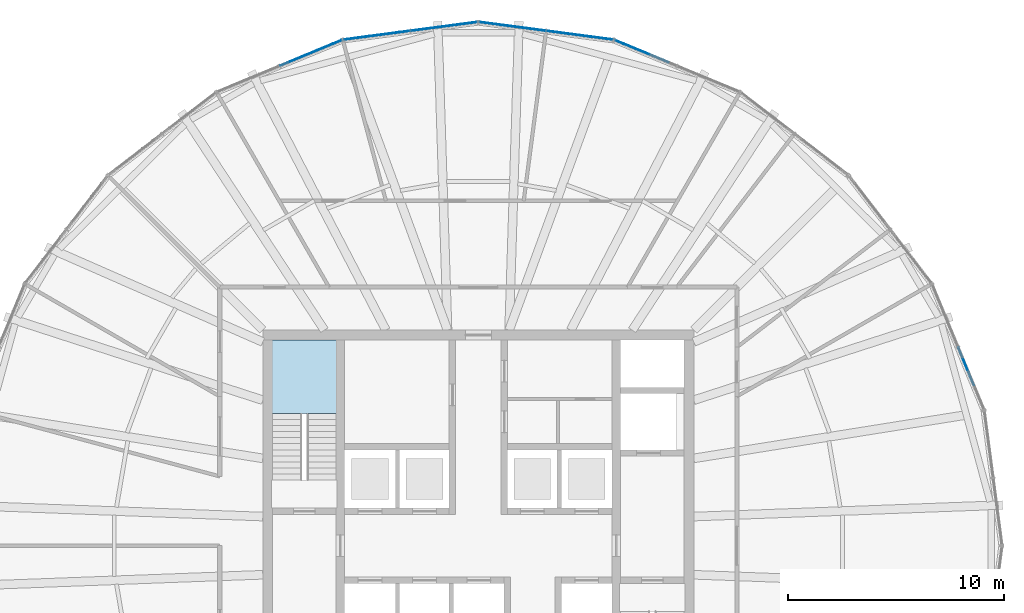
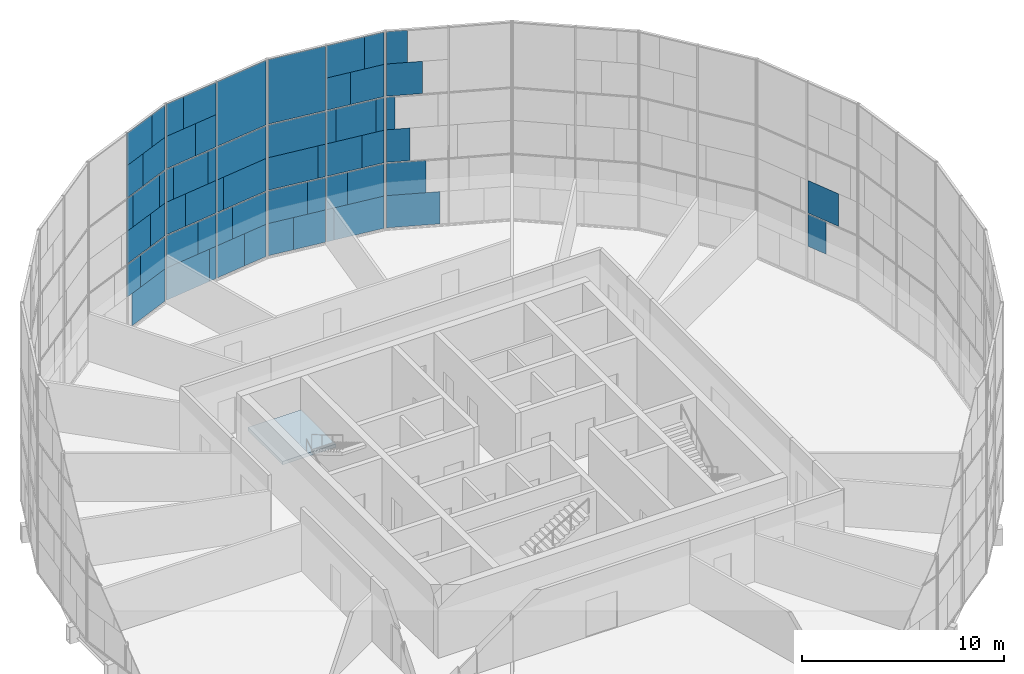
# One storey, part 16 of 22: 62 plates, 1 slab, 6 elements without a shape of their own.
"""IFC4 building model written with IfcOpenShell, lengths in metres."""

from ifc_helpers import new_model, si_unit, direction, frame, origin, origin_2d, place, context, subcontext, project, spatial, polyline, rectangle, outline, extrude, material, layer, layer_set, type_object, element, aggregate, save


model = new_model("IFC4")

# Units and contexts
model_context = context("Model", 3, precision=1e-05, world=origin(), true_north=direction((0.0, 1.0)))
body_context = subcontext(model_context, "Body", "Model", "MODEL_VIEW")
ifc_project = project(units=[si_unit("LENGTHUNIT", "METRE"), si_unit("AREAUNIT", "SQUARE_METRE"), si_unit("VOLUMEUNIT", "CUBIC_METRE"), si_unit("PLANEANGLEUNIT", "RADIAN"), si_unit("MASSUNIT", "GRAM", prefix="KILO")], contexts=[model_context])

# Site, building, storey
site_placement = place(None, origin())
site = spatial("IfcSite", under=ifc_project, at=site_placement, CompositionType="ELEMENT")
building_placement = place(site_placement, origin())
building = spatial("IfcBuilding", under=site, at=building_placement, Name="Golbaran Civic Tower", CompositionType="ELEMENT")
storey_placement = place(building_placement, frame((0.0, 0.0, 155.0)))
storey = spatial("IfcBuildingStorey", under=building, at=storey_placement, Name="L37", CompositionType="ELEMENT", Elevation=155.0)

# Curtain wall, plates
ifc_material_1 = material(Name="Aluminium and glass", Category="aluminium")
curtain_wall_type = type_object("IfcCurtainWallType", Name="INNER SKIN CURTAIN WALL", PredefinedType="NOTDEFINED", material=ifc_material_1)
curtain_wall_1_placement = place(storey_placement, origin())
curtain_wall_1 = element("IfcCurtainWall", 1, at=curtain_wall_1_placement, inside=storey, type_object=curtain_wall_type, Name="Inner skin L37 facet 5 CW1", ObjectType="INNER SKIN", PredefinedType="USERDEFINED")
ifc_material_2 = material(Name="Clear insulating glass", Category="glass")
ifc_layer_1 = layer(ifc_material_2, 0.031982421875, Name="Clear insulating glass")
ifc_layer_set_1 = layer_set([ifc_layer_1], Name="Clear insulating glass")
plate_type_1 = type_object("IfcPlateType", Name="INNER SKIN CURTAIN WALL GLAZED PANEL", PredefinedType="CURTAIN_PANEL", material=ifc_layer_set_1)
plate_1_placement = place(storey_placement, frame((7.5849609375, 22.9375, 0.06494140625), z_axis=(0.0, 0.0, 1.0), x_axis=(-0.923879532551, 0.382683432268, 0.0)))
plate_1 = element("IfcPlate", 2, at=plate_1_placement, type_object=plate_type_1, Name="CW1 panel 2.1 part 2", PredefinedType="CURTAIN_PANEL", context=body_context, shape_type="SweptSolid", body=[
    extrude(rectangle(XDim=2.673583984375, YDim=0.031982421875, at=origin_2d()), origin(), (0.0, 0.0, 1.0), 1.951171875),
])
plate_2_placement = place(storey_placement, frame((7.25732421875, 23.0732421875, 2.016357421875), z_axis=(0.0, 0.0, 1.0), x_axis=(-0.923879532551, 0.382683432268, 0.0)))
plate_2 = element("IfcPlate", 3, at=plate_2_placement, type_object=plate_type_1, Name="CW1 panel 2.1 part 4", PredefinedType="CURTAIN_PANEL", context=body_context, shape_type="SweptSolid", body=[
    extrude(rectangle(XDim=1.964599609375, YDim=0.031982421875, at=origin_2d()), origin(), (0.0, 0.0, 1.0), 1.951171875),
])
plate_3_placement = place(storey_placement, frame((6.894775390625, 23.223388671875, 4.03271484375), z_axis=(0.0, 0.0, 1.0), x_axis=(-0.923879532551, 0.382683432268, 0.0)))
plate_3 = element("IfcPlate", 4, at=plate_3_placement, type_object=plate_type_1, Name="CW1 panel 2.2 part 2", PredefinedType="CURTAIN_PANEL", context=body_context, shape_type="SweptSolid", body=[
    extrude(rectangle(XDim=1.179443359375, YDim=0.031982421875, at=origin_2d()), origin(), (0.0, 0.0, 1.0), 1.967529296875),
])
plate_4_placement = place(storey_placement, frame((6.543701171875, 23.368896484375, 6.0), z_axis=(0.0, 0.0, 1.0), x_axis=(-0.923879532551, 0.382683432268, 0.0)))
plate_4 = element("IfcPlate", 5, at=plate_4_placement, type_object=plate_type_1, Name="CW1 panel 2.2 part 5", PredefinedType="CURTAIN_PANEL", context=body_context, shape_type="SweptSolid", body=[
    extrude(rectangle(XDim=0.41943359375, YDim=0.031982421875, at=origin_2d()), origin(), (0.0, 0.0, 1.0), 1.967529296875),
])

curtain_wall_2_placement = place(storey_placement, origin())
curtain_wall_2 = element("IfcCurtainWall", 6, at=curtain_wall_2_placement, inside=storey, type_object=curtain_wall_type, Name="Inner skin L37 facet 6 CW1", ObjectType="INNER SKIN", PredefinedType="USERDEFINED")
plate_5_placement = place(storey_placement, frame((4.900390625, 23.656982421875, 0.06494140625), z_axis=(0.0, 0.0, 1.0), x_axis=(-0.991444861365, 0.130526192289, 0.0)))
plate_5 = element("IfcPlate", 7, at=plate_5_placement, type_object=plate_type_1, Name="CW1 panel 1.1 part 1", PredefinedType="CURTAIN_PANEL", context=body_context, shape_type="SweptSolid", body=[
    extrude(rectangle(XDim=2.673095703125, YDim=0.031982421875, at=origin_2d()), origin(), (0.0, 0.0, 1.0), 1.951171875),
])
plate_6_placement = place(storey_placement, frame((5.251708984375, 23.610595703125, 2.016357421875), z_axis=(0.0, 0.0, 1.0), x_axis=(-0.991444861365, 0.130526192289, 0.0)))
plate_6 = element("IfcPlate", 8, at=plate_6_placement, type_object=plate_type_1, Name="CW1 panel 1.1 part 3", PredefinedType="CURTAIN_PANEL", context=body_context, shape_type="SweptSolid", body=[
    extrude(rectangle(XDim=1.964111328125, YDim=0.031982421875, at=origin_2d()), origin(), (0.0, 0.0, 1.0), 1.951171875),
])
plate_7_placement = place(storey_placement, frame((5.640380859375, 23.559326171875, 4.03271484375), z_axis=(0.0, 0.0, 1.0), x_axis=(-0.991444861365, 0.130526192289, 0.0)))
plate_7 = element("IfcPlate", 9, at=plate_7_placement, type_object=plate_type_1, Name="CW1 panel 1.2 part 1", PredefinedType="CURTAIN_PANEL", context=body_context, shape_type="SweptSolid", body=[
    extrude(rectangle(XDim=1.179931640625, YDim=0.031982421875, at=origin_2d()), origin(), (0.0, 0.0, 1.0), 1.967529296875),
])
plate_8_placement = place(storey_placement, frame((6.01708984375, 23.509765625, 6.0), z_axis=(0.0, 0.0, 1.0), x_axis=(-0.991444861365, 0.130526192289, 0.0)))
plate_8 = element("IfcPlate", 10, at=plate_8_placement, type_object=plate_type_1, Name="CW1 panel 1.2 part 3", PredefinedType="CURTAIN_PANEL", context=body_context, shape_type="SweptSolid", body=[
    extrude(rectangle(XDim=0.419921875, YDim=0.031982421875, at=origin_2d()), origin(), (0.0, 0.0, 1.0), 1.967529296875),
])
plate_9_placement = place(storey_placement, frame((3.42333984375, 23.851318359375, 6.0), z_axis=(0.0, 0.0, 1.0), x_axis=(-0.991444861365, 0.130526192289, 0.0)))
plate_9 = element("IfcPlate", 11, at=plate_9_placement, type_object=plate_type_1, Name="CW1 panel 1.2 part 5", PredefinedType="CURTAIN_PANEL", context=body_context, shape_type="SweptSolid", body=[
    extrude(rectangle(XDim=0.49658203125, YDim=0.031982421875, at=origin_2d()), origin(), (0.0, 0.0, 1.0), 1.967529296875),
])
plate_10_placement = place(storey_placement, frame((3.8125, 23.800048828125, 8.032470703125), z_axis=(0.0, 0.0, 1.0), x_axis=(-0.991444861365, 0.130526192289, 0.0)))
plate_10 = element("IfcPlate", 12, at=plate_10_placement, type_object=plate_type_1, Name="CW1 panel 1.3 part 2", PredefinedType="CURTAIN_PANEL", context=body_context, shape_type="SweptSolid", body=[
    extrude(rectangle(XDim=1.281494140625, YDim=0.031982421875, at=origin_2d()), origin(), (0.0, 0.0, 1.0), 1.951171875),
])
plate_11_placement = place(storey_placement, frame((4.186279296875, 23.7509765625, 9.98388671875), z_axis=(0.0, 0.0, 1.0), x_axis=(-0.991444861365, 0.130526192289, 0.0)))
plate_11 = element("IfcPlate", 13, at=plate_11_placement, type_object=plate_type_1, Name="CW1 panel 1.3 part 4", PredefinedType="CURTAIN_PANEL", context=body_context, shape_type="SweptSolid", body=[
    extrude(rectangle(XDim=2.03564453125, YDim=0.031982421875, at=origin_2d()), origin(), (0.0, 0.0, 1.0), 1.951171875),
])
plate_12_placement = place(storey_placement, frame((0.73095703125, 24.205810546875, 0.06494140625), z_axis=(0.0, 0.0, 1.0), x_axis=(-0.991444861365, 0.130526192289, 0.0)))
plate_12 = element("IfcPlate", 14, at=plate_12_placement, type_object=plate_type_1, Name="CW1 panel 2.1 part 2", PredefinedType="CURTAIN_PANEL", context=body_context, shape_type="SweptSolid", body=[
    extrude(rectangle(XDim=1.344482421875, YDim=0.031982421875, at=origin_2d()), origin(), (0.0, 0.0, 1.0), 1.951171875),
])
plate_13_placement = place(storey_placement, frame((1.104736328125, 24.156494140625, 2.016357421875), z_axis=(0.0, 0.0, 1.0), x_axis=(-0.991444861365, 0.130526192289, 0.0)))
plate_13 = element("IfcPlate", 15, at=plate_13_placement, type_object=plate_type_1, Name="CW1 panel 2.1 part 4", PredefinedType="CURTAIN_PANEL", context=body_context, shape_type="SweptSolid", body=[
    extrude(rectangle(XDim=2.0986328125, YDim=0.031982421875, at=origin_2d()), origin(), (0.0, 0.0, 1.0), 1.951171875),
])
plate_14_placement = place(storey_placement, frame((1.390380859375, 24.118896484375, 4.03271484375), z_axis=(0.0, 0.0, 1.0), x_axis=(-0.991444861365, 0.130526192289, 0.0)))
plate_14 = element("IfcPlate", 16, at=plate_14_placement, type_object=plate_type_1, Name="CW1 panel 2.2 part 2", PredefinedType="CURTAIN_PANEL", context=body_context, shape_type="SweptSolid", body=[
    extrude(rectangle(XDim=2.674560546875, YDim=0.031982421875, at=origin_2d()), origin(), (0.0, 0.0, 1.0), 1.967529296875),
])
plate_15_placement = place(storey_placement, frame((1.588623046875, 24.0927734375, 6.0), z_axis=(0.0, 0.0, 1.0), x_axis=(-0.991444861365, 0.130526192289, 0.0)))
plate_15 = element("IfcPlate", 17, at=plate_15_placement, type_object=plate_type_1, Name="CW1 panel 2.2 part 3", PredefinedType="CURTAIN_PANEL", context=body_context, shape_type="SweptSolid", body=[
    extrude(rectangle(XDim=3.074462890625, YDim=0.031982421875, at=origin_2d()), origin(), (0.0, 0.0, 1.0), 1.967529296875),
])
plate_16_placement = place(storey_placement, frame((1.588623046875, 24.0927734375, 8.0322265625), z_axis=(0.0, 0.0, 1.0), x_axis=(-0.991444861365, 0.130526192289, 0.0)))
plate_16 = element("IfcPlate", 18, at=plate_16_placement, type_object=plate_type_1, Name="CW1 panel 2.3", PredefinedType="CURTAIN_PANEL", context=body_context, shape_type="SweptSolid", body=[
    extrude(rectangle(XDim=3.074462890625, YDim=0.031982421875, at=origin_2d()), origin(), (0.0, 0.0, 1.0), 3.902587890625),
])

curtain_wall_3_placement = place(storey_placement, origin())
curtain_wall_3 = element("IfcCurtainWall", 19, at=curtain_wall_3_placement, inside=storey, type_object=curtain_wall_type, Name="Inner skin L37 facet 7 CW1", ObjectType="INNER SKIN", PredefinedType="USERDEFINED")
plate_17_placement = place(storey_placement, frame((-0.731201171875, 24.205810546875, 0.06494140625), z_axis=(0.0, 0.0, 1.0), x_axis=(-0.991444861365, -0.130526192289, 0.0)))
plate_17 = element("IfcPlate", 20, at=plate_17_placement, type_object=plate_type_1, Name="CW1 panel 1.1 part 1", PredefinedType="CURTAIN_PANEL", context=body_context, shape_type="SweptSolid", body=[
    extrude(rectangle(XDim=1.344970703125, YDim=0.031982421875, at=origin_2d()), origin(), (0.0, 0.0, 1.0), 1.951171875),
])
plate_18_placement = place(storey_placement, frame((-1.1044921875, 24.156494140625, 2.016357421875), z_axis=(0.0, 0.0, 1.0), x_axis=(-0.991444861365, -0.130526192289, 0.0)))
plate_18 = element("IfcPlate", 21, at=plate_18_placement, type_object=plate_type_1, Name="CW1 panel 1.1 part 3", PredefinedType="CURTAIN_PANEL", context=body_context, shape_type="SweptSolid", body=[
    extrude(rectangle(XDim=2.097900390625, YDim=0.031982421875, at=origin_2d()), origin(), (0.0, 0.0, 1.0), 1.951171875),
])
plate_19_placement = place(storey_placement, frame((-1.389404296875, 24.119140625, 4.03271484375), z_axis=(0.0, 0.0, 1.0), x_axis=(-0.991444861365, -0.130526192289, 0.0)))
plate_19 = element("IfcPlate", 22, at=plate_19_placement, type_object=plate_type_1, Name="CW1 panel 1.2 part 1", PredefinedType="CURTAIN_PANEL", context=body_context, shape_type="SweptSolid", body=[
    extrude(rectangle(XDim=2.673095703125, YDim=0.031982421875, at=origin_2d()), origin(), (0.0, 0.0, 1.0), 1.967529296875),
])
plate_20_placement = place(storey_placement, frame((-1.588623046875, 24.0927734375, 6.0), z_axis=(0.0, 0.0, 1.0), x_axis=(-0.991444861365, -0.130526192289, 0.0)))
plate_20 = element("IfcPlate", 23, at=plate_20_placement, type_object=plate_type_1, Name="CW1 panel 1.2 part 3", PredefinedType="CURTAIN_PANEL", context=body_context, shape_type="SweptSolid", body=[
    extrude(rectangle(XDim=3.074462890625, YDim=0.031982421875, at=origin_2d()), origin(), (0.0, 0.0, 1.0), 1.967529296875),
])
plate_21_placement = place(storey_placement, frame((-1.588623046875, 24.0927734375, 8.0322265625), z_axis=(0.0, 0.0, 1.0), x_axis=(-0.991444861365, -0.130526192289, 0.0)))
plate_21 = element("IfcPlate", 24, at=plate_21_placement, type_object=plate_type_1, Name="CW1 panel 1.3", PredefinedType="CURTAIN_PANEL", context=body_context, shape_type="SweptSolid", body=[
    extrude(rectangle(XDim=3.074462890625, YDim=0.031982421875, at=origin_2d()), origin(), (0.0, 0.0, 1.0), 3.902587890625),
])
plate_22_placement = place(storey_placement, frame((-4.900146484375, 23.656982421875, 0.06494140625), z_axis=(0.0, 0.0, 1.0), x_axis=(-0.991444861365, -0.130526192289, 0.0)))
plate_22 = element("IfcPlate", 25, at=plate_22_placement, type_object=plate_type_1, Name="CW1 panel 2.1 part 2", PredefinedType="CURTAIN_PANEL", context=body_context, shape_type="SweptSolid", body=[
    extrude(rectangle(XDim=2.673583984375, YDim=0.031982421875, at=origin_2d()), origin(), (0.0, 0.0, 1.0), 1.951171875),
])
plate_23_placement = place(storey_placement, frame((-5.25146484375, 23.610595703125, 2.016357421875), z_axis=(0.0, 0.0, 1.0), x_axis=(-0.991444861365, -0.130526192289, 0.0)))
plate_23 = element("IfcPlate", 26, at=plate_23_placement, type_object=plate_type_1, Name="CW1 panel 2.1 part 4", PredefinedType="CURTAIN_PANEL", context=body_context, shape_type="SweptSolid", body=[
    extrude(rectangle(XDim=1.964599609375, YDim=0.031982421875, at=origin_2d()), origin(), (0.0, 0.0, 1.0), 1.951171875),
])
plate_24_placement = place(storey_placement, frame((-5.640625, 23.559326171875, 4.03271484375), z_axis=(0.0, 0.0, 1.0), x_axis=(-0.991444861365, -0.130526192289, 0.0)))
plate_24 = element("IfcPlate", 27, at=plate_24_placement, type_object=plate_type_1, Name="CW1 panel 2.2 part 2", PredefinedType="CURTAIN_PANEL", context=body_context, shape_type="SweptSolid", body=[
    extrude(rectangle(XDim=1.179443359375, YDim=0.031982421875, at=origin_2d()), origin(), (0.0, 0.0, 1.0), 1.967529296875),
])
plate_25_placement = place(storey_placement, frame((-3.423583984375, 23.851318359375, 6.0), z_axis=(0.0, 0.0, 1.0), x_axis=(-0.991444861365, -0.130526192289, 0.0)))
plate_25 = element("IfcPlate", 28, at=plate_25_placement, type_object=plate_type_1, Name="CW1 panel 2.2 part 3", PredefinedType="CURTAIN_PANEL", context=body_context, shape_type="SweptSolid", body=[
    extrude(rectangle(XDim=0.4970703125, YDim=0.031982421875, at=origin_2d()), origin(), (0.0, 0.0, 1.0), 1.967529296875),
])
plate_26_placement = place(storey_placement, frame((-6.017333984375, 23.509765625, 6.0), z_axis=(0.0, 0.0, 1.0), x_axis=(-0.991444861365, -0.130526192289, 0.0)))
plate_26 = element("IfcPlate", 29, at=plate_26_placement, type_object=plate_type_1, Name="CW1 panel 2.2 part 5", PredefinedType="CURTAIN_PANEL", context=body_context, shape_type="SweptSolid", body=[
    extrude(rectangle(XDim=0.41943359375, YDim=0.031982421875, at=origin_2d()), origin(), (0.0, 0.0, 1.0), 1.967529296875),
])
plate_27_placement = place(storey_placement, frame((-3.812744140625, 23.800048828125, 8.032470703125), z_axis=(0.0, 0.0, 1.0), x_axis=(-0.991444861365, -0.130526192289, 0.0)))
plate_27 = element("IfcPlate", 30, at=plate_27_placement, type_object=plate_type_1, Name="CW1 panel 2.3 part 1", PredefinedType="CURTAIN_PANEL", context=body_context, shape_type="SweptSolid", body=[
    extrude(rectangle(XDim=1.281982421875, YDim=0.031982421875, at=origin_2d()), origin(), (0.0, 0.0, 1.0), 1.951171875),
])
plate_28_placement = place(storey_placement, frame((-4.18603515625, 23.7509765625, 9.98388671875), z_axis=(0.0, 0.0, 1.0), x_axis=(-0.991444861365, -0.130526192289, 0.0)))
plate_28 = element("IfcPlate", 31, at=plate_28_placement, type_object=plate_type_1, Name="CW1 panel 2.3 part 3", PredefinedType="CURTAIN_PANEL", context=body_context, shape_type="SweptSolid", body=[
    extrude(rectangle(XDim=2.034912109375, YDim=0.031982421875, at=origin_2d()), origin(), (0.0, 0.0, 1.0), 1.951171875),
])

curtain_wall_4_placement = place(storey_placement, origin())
curtain_wall_4 = element("IfcCurtainWall", 32, at=curtain_wall_4_placement, inside=storey, type_object=curtain_wall_type, Name="Inner skin L37 facet 8 CW1", ObjectType="INNER SKIN", PredefinedType="USERDEFINED")
plate_29_placement = place(storey_placement, frame((-7.584716796875, 22.9375, 0.06494140625), z_axis=(0.0, 0.0, 1.0), x_axis=(-0.923879532551, -0.382683432268, 0.0)))
plate_29 = element("IfcPlate", 33, at=plate_29_placement, type_object=plate_type_1, Name="CW1 panel 1.1 part 1", PredefinedType="CURTAIN_PANEL", context=body_context, shape_type="SweptSolid", body=[
    extrude(rectangle(XDim=2.673095703125, YDim=0.031982421875, at=origin_2d()), origin(), (0.0, 0.0, 1.0), 1.951171875),
])
plate_30_placement = place(storey_placement, frame((-7.257080078125, 23.0732421875, 2.016357421875), z_axis=(0.0, 0.0, 1.0), x_axis=(-0.923879532551, -0.382683432268, 0.0)))
plate_30 = element("IfcPlate", 34, at=plate_30_placement, type_object=plate_type_1, Name="CW1 panel 1.1 part 3", PredefinedType="CURTAIN_PANEL", context=body_context, shape_type="SweptSolid", body=[
    extrude(rectangle(XDim=1.964111328125, YDim=0.031982421875, at=origin_2d()), origin(), (0.0, 0.0, 1.0), 1.951171875),
])
plate_31_placement = place(storey_placement, frame((-6.89501953125, 23.223388671875, 4.03271484375), z_axis=(0.0, 0.0, 1.0), x_axis=(-0.923879532551, -0.382683432268, 0.0)))
plate_31 = element("IfcPlate", 35, at=plate_31_placement, type_object=plate_type_1, Name="CW1 panel 1.2 part 1", PredefinedType="CURTAIN_PANEL", context=body_context, shape_type="SweptSolid", body=[
    extrude(rectangle(XDim=1.179931640625, YDim=0.031982421875, at=origin_2d()), origin(), (0.0, 0.0, 1.0), 1.967529296875),
])
plate_32_placement = place(storey_placement, frame((-6.5439453125, 23.36865234375, 6.0), z_axis=(0.0, 0.0, 1.0), x_axis=(-0.923879532551, -0.382683432268, 0.0)))
plate_32 = element("IfcPlate", 36, at=plate_32_placement, type_object=plate_type_1, Name="CW1 panel 1.2 part 3", PredefinedType="CURTAIN_PANEL", context=body_context, shape_type="SweptSolid", body=[
    extrude(rectangle(XDim=0.419921875, YDim=0.031982421875, at=origin_2d()), origin(), (0.0, 0.0, 1.0), 1.967529296875),
])
plate_33_placement = place(storey_placement, frame((-8.9609375, 22.367431640625, 6.0), z_axis=(0.0, 0.0, 1.0), x_axis=(-0.923879532551, -0.382683432268, 0.0)))
plate_33 = element("IfcPlate", 37, at=plate_33_placement, type_object=plate_type_1, Name="CW1 panel 1.2 part 5", PredefinedType="CURTAIN_PANEL", context=body_context, shape_type="SweptSolid", body=[
    extrude(rectangle(XDim=0.49658203125, YDim=0.031982421875, at=origin_2d()), origin(), (0.0, 0.0, 1.0), 1.967529296875),
])
plate_34_placement = place(storey_placement, frame((-8.598388671875, 22.517578125, 8.032470703125), z_axis=(0.0, 0.0, 1.0), x_axis=(-0.923879532551, -0.382683432268, 0.0)))
plate_34 = element("IfcPlate", 38, at=plate_34_placement, type_object=plate_type_1, Name="CW1 panel 1.3 part 2", PredefinedType="CURTAIN_PANEL", context=body_context, shape_type="SweptSolid", body=[
    extrude(rectangle(XDim=1.281494140625, YDim=0.031982421875, at=origin_2d()), origin(), (0.0, 0.0, 1.0), 1.951171875),
])
plate_35_placement = place(storey_placement, frame((-8.25, 22.661865234375, 9.98388671875), z_axis=(0.0, 0.0, 1.0), x_axis=(-0.923879532551, -0.382683432268, 0.0)))
plate_35 = element("IfcPlate", 39, at=plate_35_placement, type_object=plate_type_1, Name="CW1 panel 1.3 part 4", PredefinedType="CURTAIN_PANEL", context=body_context, shape_type="SweptSolid", body=[
    extrude(rectangle(XDim=2.03564453125, YDim=0.031982421875, at=origin_2d()), origin(), (0.0, 0.0, 1.0), 1.951171875),
])

curtain_wall_5_placement = place(storey_placement, origin())
curtain_wall_5 = element("IfcCurtainWall", 40, at=curtain_wall_5_placement, inside=storey, type_object=curtain_wall_type, Name="Inner skin L37 facet 2 CW1", ObjectType="INNER SKIN", PredefinedType="USERDEFINED")
ifc_material_3 = material(Name="Aluminium faced opaque infill panel", Category="aluminium")
ifc_layer_2 = layer(ifc_material_3, 0.031982421875, Name="Aluminium faced opaque infill panel")
ifc_layer_set_2 = layer_set([ifc_layer_2], Name="Aluminium faced opaque infill panel")
plate_type_2 = type_object("IfcPlateType", Name="INNER SKIN CURTAIN WALL OPAQUE INFILL PANEL", PredefinedType="CURTAIN_PANEL", material=ifc_layer_set_2)
plate_36_placement = place(storey_placement, frame((22.48486328125, 8.677490234375, 2.016357421875), z_axis=(0.0, 0.0, 1.0), x_axis=(-0.382683432268, 0.923879532551, 0.0)))
plate_36 = element("IfcPlate", 41, at=plate_36_placement, type_object=plate_type_2, Name="CW1 infill panel 1.1 part 4", PredefinedType="CURTAIN_PANEL", context=body_context, shape_type="SweptSolid", body=[
    extrude(rectangle(XDim=1.110595703125, YDim=0.031982421875, at=origin_2d()), origin(), (0.0, 0.0, 1.0), 1.951171875),
])
plate_37_placement = place(storey_placement, frame((22.635009765625, 8.315185546875, 4.03271484375), z_axis=(0.0, 0.0, 1.0), x_axis=(-0.382683432268, 0.923879532551, 0.0)))
plate_37 = element("IfcPlate", 42, at=plate_37_placement, type_object=plate_type_2, Name="CW1 infill panel 1.2 part 2", PredefinedType="CURTAIN_PANEL", context=body_context, shape_type="SweptSolid", body=[
    extrude(rectangle(XDim=1.89453125, YDim=0.031982421875, at=origin_2d()), origin(), (0.0, 0.0, 1.0), 1.967529296875),
])
aggregate(curtain_wall_5, [plate_36, plate_37])

# Plate
plate_38_placement = place(storey_placement, frame((7.177978515625, 23.10595703125, 8.032470703125), z_axis=(0.0, 0.0, 1.0), x_axis=(-0.923879532551, 0.382683432268, 0.0)))
plate_38 = element("IfcPlate", 43, at=plate_38_placement, type_object=plate_type_2, Name="CW1 infill panel 2.3 part 2", PredefinedType="CURTAIN_PANEL", context=body_context, shape_type="SweptSolid", body=[
    extrude(rectangle(XDim=1.79248046875, YDim=0.031982421875, at=origin_2d()), origin(), (0.0, 0.0, 1.0), 1.951171875),
])

plate_39_placement = place(storey_placement, frame((6.830078125, 23.250244140625, 9.98388671875), z_axis=(0.0, 0.0, 1.0), x_axis=(-0.923879532551, 0.382683432268, 0.0)))
plate_39 = element("IfcPlate", 44, at=plate_39_placement, type_object=plate_type_2, Name="CW1 infill panel 2.3 part 4", PredefinedType="CURTAIN_PANEL", context=body_context, shape_type="SweptSolid", body=[
    extrude(rectangle(XDim=1.03955078125, YDim=0.031982421875, at=origin_2d()), origin(), (0.0, 0.0, 1.0), 1.951171875),
])

aggregate(curtain_wall_1, [plate_1, plate_2, plate_3, plate_4, plate_38, plate_39])

plate_40_placement = place(storey_placement, frame((3.376220703125, 23.857421875, 0.06494140625), z_axis=(0.0, 0.0, 1.0), x_axis=(-0.991444861365, 0.130526192289, 0.0)))
plate_40 = element("IfcPlate", 45, at=plate_40_placement, type_object=plate_type_2, Name="CW1 infill panel 1.1 part 2", PredefinedType="CURTAIN_PANEL", context=body_context, shape_type="SweptSolid", body=[
    extrude(rectangle(XDim=0.401611328125, YDim=0.031982421875, at=origin_2d()), origin(), (0.0, 0.0, 1.0), 1.951171875),
])

plate_41_placement = place(storey_placement, frame((3.7275390625, 23.811279296875, 2.016357421875), z_axis=(0.0, 0.0, 1.0), x_axis=(-0.991444861365, 0.130526192289, 0.0)))
plate_41 = element("IfcPlate", 46, at=plate_41_placement, type_object=plate_type_2, Name="CW1 infill panel 1.1 part 4", PredefinedType="CURTAIN_PANEL", context=body_context, shape_type="SweptSolid", body=[
    extrude(rectangle(XDim=1.110595703125, YDim=0.031982421875, at=origin_2d()), origin(), (0.0, 0.0, 1.0), 1.951171875),
])

plate_42_placement = place(storey_placement, frame((4.1162109375, 23.760009765625, 4.03271484375), z_axis=(0.0, 0.0, 1.0), x_axis=(-0.991444861365, 0.130526192289, 0.0)))
plate_42 = element("IfcPlate", 47, at=plate_42_placement, type_object=plate_type_2, Name="CW1 infill panel 1.2 part 2", PredefinedType="CURTAIN_PANEL", context=body_context, shape_type="SweptSolid", body=[
    extrude(rectangle(XDim=1.89453125, YDim=0.031982421875, at=origin_2d()), origin(), (0.0, 0.0, 1.0), 1.967529296875),
])

plate_43_placement = place(storey_placement, frame((4.7392578125, 23.677978515625, 6.0), z_axis=(0.0, 0.0, 1.0), x_axis=(-0.991444861365, 0.130526192289, 0.0)))
plate_43 = element("IfcPlate", 48, at=plate_43_placement, type_object=plate_type_2, Name="CW1 infill panel 1.2 part 4", PredefinedType="CURTAIN_PANEL", context=body_context, shape_type="SweptSolid", body=[
    extrude(rectangle(XDim=2.157958984375, YDim=0.031982421875, at=origin_2d()), origin(), (0.0, 0.0, 1.0), 1.967529296875),
])

plate_44_placement = place(storey_placement, frame((5.33642578125, 23.599365234375, 8.032470703125), z_axis=(0.0, 0.0, 1.0), x_axis=(-0.991444861365, 0.130526192289, 0.0)))
plate_44 = element("IfcPlate", 49, at=plate_44_placement, type_object=plate_type_2, Name="CW1 infill panel 1.3 part 1", PredefinedType="CURTAIN_PANEL", context=body_context, shape_type="SweptSolid", body=[
    extrude(rectangle(XDim=1.79296875, YDim=0.031982421875, at=origin_2d()), origin(), (0.0, 0.0, 1.0), 1.951171875),
])

plate_45_placement = place(storey_placement, frame((5.710205078125, 23.55029296875, 9.98388671875), z_axis=(0.0, 0.0, 1.0), x_axis=(-0.991444861365, 0.130526192289, 0.0)))
plate_45 = element("IfcPlate", 50, at=plate_45_placement, type_object=plate_type_2, Name="CW1 infill panel 1.3 part 3", PredefinedType="CURTAIN_PANEL", context=body_context, shape_type="SweptSolid", body=[
    extrude(rectangle(XDim=1.0390625, YDim=0.031982421875, at=origin_2d()), origin(), (0.0, 0.0, 1.0), 1.951171875),
])

plate_46_placement = place(storey_placement, frame((2.255126953125, 24.005126953125, 0.06494140625), z_axis=(0.0, 0.0, 1.0), x_axis=(-0.991444861365, 0.130526192289, 0.0)))
plate_46 = element("IfcPlate", 51, at=plate_46_placement, type_object=plate_type_2, Name="CW1 infill panel 2.1 part 1", PredefinedType="CURTAIN_PANEL", context=body_context, shape_type="SweptSolid", body=[
    extrude(rectangle(XDim=1.72998046875, YDim=0.031982421875, at=origin_2d()), origin(), (0.0, 0.0, 1.0), 1.951171875),
])

plate_47_placement = place(storey_placement, frame((2.62890625, 23.955810546875, 2.016357421875), z_axis=(0.0, 0.0, 1.0), x_axis=(-0.991444861365, 0.130526192289, 0.0)))
plate_47 = element("IfcPlate", 52, at=plate_47_placement, type_object=plate_type_2, Name="CW1 infill panel 2.1 part 3", PredefinedType="CURTAIN_PANEL", context=body_context, shape_type="SweptSolid", body=[
    extrude(rectangle(XDim=0.97607421875, YDim=0.031982421875, at=origin_2d()), origin(), (0.0, 0.0, 1.0), 1.951171875),
])

plate_48_placement = place(storey_placement, frame((2.914306640625, 23.918212890625, 4.03271484375), z_axis=(0.0, 0.0, 1.0), x_axis=(-0.991444861365, 0.130526192289, 0.0)))
plate_48 = element("IfcPlate", 53, at=plate_48_placement, type_object=plate_type_2, Name="CW1 infill panel 2.2 part 1", PredefinedType="CURTAIN_PANEL", context=body_context, shape_type="SweptSolid", body=[
    extrude(rectangle(XDim=0.39990234375, YDim=0.031982421875, at=origin_2d()), origin(), (0.0, 0.0, 1.0), 1.967529296875),
])

aggregate(curtain_wall_2, [plate_5, plate_40, plate_6, plate_41, plate_7, plate_42, plate_8, plate_43, plate_9, plate_44, plate_10, plate_45, plate_11, plate_46, plate_12, plate_47, plate_13, plate_48, plate_14, plate_15, plate_16])

plate_49_placement = place(storey_placement, frame((-2.25537109375, 24.005126953125, 0.06494140625), z_axis=(0.0, 0.0, 1.0), x_axis=(-0.991444861365, -0.130526192289, 0.0)))
plate_49 = element("IfcPlate", 54, at=plate_49_placement, type_object=plate_type_2, Name="CW1 infill panel 1.1 part 2", PredefinedType="CURTAIN_PANEL", context=body_context, shape_type="SweptSolid", body=[
    extrude(rectangle(XDim=1.7294921875, YDim=0.031982421875, at=origin_2d()), origin(), (0.0, 0.0, 1.0), 1.951171875),
])

plate_50_placement = place(storey_placement, frame((-2.628662109375, 23.9560546875, 2.016357421875), z_axis=(0.0, 0.0, 1.0), x_axis=(-0.991444861365, -0.130526192289, 0.0)))
plate_50 = element("IfcPlate", 55, at=plate_50_placement, type_object=plate_type_2, Name="CW1 infill panel 1.1 part 4", PredefinedType="CURTAIN_PANEL", context=body_context, shape_type="SweptSolid", body=[
    extrude(rectangle(XDim=0.9765625, YDim=0.031982421875, at=origin_2d()), origin(), (0.0, 0.0, 1.0), 1.951171875),
])

plate_51_placement = place(storey_placement, frame((-2.91357421875, 23.91845703125, 4.03271484375), z_axis=(0.0, 0.0, 1.0), x_axis=(-0.991444861365, -0.130526192289, 0.0)))
plate_51 = element("IfcPlate", 56, at=plate_51_placement, type_object=plate_type_2, Name="CW1 infill panel 1.2 part 2", PredefinedType="CURTAIN_PANEL", context=body_context, shape_type="SweptSolid", body=[
    extrude(rectangle(XDim=0.401611328125, YDim=0.031982421875, at=origin_2d()), origin(), (0.0, 0.0, 1.0), 1.967529296875),
])

plate_52_placement = place(storey_placement, frame((-3.3759765625, 23.857666015625, 0.06494140625), z_axis=(0.0, 0.0, 1.0), x_axis=(-0.991444861365, -0.130526192289, 0.0)))
plate_52 = element("IfcPlate", 57, at=plate_52_placement, type_object=plate_type_2, Name="CW1 infill panel 2.1 part 1", PredefinedType="CURTAIN_PANEL", context=body_context, shape_type="SweptSolid", body=[
    extrude(rectangle(XDim=0.40087890625, YDim=0.031982421875, at=origin_2d()), origin(), (0.0, 0.0, 1.0), 1.951171875),
])

plate_53_placement = place(storey_placement, frame((-3.727294921875, 23.811279296875, 2.016357421875), z_axis=(0.0, 0.0, 1.0), x_axis=(-0.991444861365, -0.130526192289, 0.0)))
plate_53 = element("IfcPlate", 58, at=plate_53_placement, type_object=plate_type_2, Name="CW1 infill panel 2.1 part 3", PredefinedType="CURTAIN_PANEL", context=body_context, shape_type="SweptSolid", body=[
    extrude(rectangle(XDim=1.110107421875, YDim=0.031982421875, at=origin_2d()), origin(), (0.0, 0.0, 1.0), 1.951171875),
])

plate_54_placement = place(storey_placement, frame((-4.116455078125, 23.760009765625, 4.03271484375), z_axis=(0.0, 0.0, 1.0), x_axis=(-0.991444861365, -0.130526192289, 0.0)))
plate_54 = element("IfcPlate", 59, at=plate_54_placement, type_object=plate_type_2, Name="CW1 infill panel 2.2 part 1", PredefinedType="CURTAIN_PANEL", context=body_context, shape_type="SweptSolid", body=[
    extrude(rectangle(XDim=1.89501953125, YDim=0.031982421875, at=origin_2d()), origin(), (0.0, 0.0, 1.0), 1.967529296875),
])

plate_55_placement = place(storey_placement, frame((-4.73974609375, 23.677978515625, 6.0), z_axis=(0.0, 0.0, 1.0), x_axis=(-0.991444861365, -0.130526192289, 0.0)))
plate_55 = element("IfcPlate", 60, at=plate_55_placement, type_object=plate_type_2, Name="CW1 infill panel 2.2 part 4", PredefinedType="CURTAIN_PANEL", context=body_context, shape_type="SweptSolid", body=[
    extrude(rectangle(XDim=2.157958984375, YDim=0.031982421875, at=origin_2d()), origin(), (0.0, 0.0, 1.0), 1.967529296875),
])

plate_56_placement = place(storey_placement, frame((-5.336669921875, 23.599365234375, 8.032470703125), z_axis=(0.0, 0.0, 1.0), x_axis=(-0.991444861365, -0.130526192289, 0.0)))
plate_56 = element("IfcPlate", 61, at=plate_56_placement, type_object=plate_type_2, Name="CW1 infill panel 2.3 part 2", PredefinedType="CURTAIN_PANEL", context=body_context, shape_type="SweptSolid", body=[
    extrude(rectangle(XDim=1.79248046875, YDim=0.031982421875, at=origin_2d()), origin(), (0.0, 0.0, 1.0), 1.951171875),
])

plate_57_placement = place(storey_placement, frame((-5.7099609375, 23.55029296875, 9.98388671875), z_axis=(0.0, 0.0, 1.0), x_axis=(-0.991444861365, -0.130526192289, 0.0)))
plate_57 = element("IfcPlate", 62, at=plate_57_placement, type_object=plate_type_2, Name="CW1 infill panel 2.3 part 4", PredefinedType="CURTAIN_PANEL", context=body_context, shape_type="SweptSolid", body=[
    extrude(rectangle(XDim=1.03955078125, YDim=0.031982421875, at=origin_2d()), origin(), (0.0, 0.0, 1.0), 1.951171875),
])

aggregate(curtain_wall_3, [plate_17, plate_49, plate_18, plate_50, plate_19, plate_51, plate_20, plate_21, plate_52, plate_22, plate_53, plate_23, plate_54, plate_24, plate_25, plate_55, plate_26, plate_27, plate_56, plate_28, plate_57])

plate_58_placement = place(storey_placement, frame((-8.677490234375, 22.48486328125, 2.016357421875), z_axis=(0.0, 0.0, 1.0), x_axis=(-0.923879532551, -0.382683432268, 0.0)))
plate_58 = element("IfcPlate", 63, at=plate_58_placement, type_object=plate_type_2, Name="CW1 infill panel 1.1 part 4", PredefinedType="CURTAIN_PANEL", context=body_context, shape_type="SweptSolid", body=[
    extrude(rectangle(XDim=1.110595703125, YDim=0.031982421875, at=origin_2d()), origin(), (0.0, 0.0, 1.0), 1.951171875),
])

plate_59_placement = place(storey_placement, frame((-8.315185546875, 22.635009765625, 4.03271484375), z_axis=(0.0, 0.0, 1.0), x_axis=(-0.923879532551, -0.382683432268, 0.0)))
plate_59 = element("IfcPlate", 64, at=plate_59_placement, type_object=plate_type_2, Name="CW1 infill panel 1.2 part 2", PredefinedType="CURTAIN_PANEL", context=body_context, shape_type="SweptSolid", body=[
    extrude(rectangle(XDim=1.89453125, YDim=0.031982421875, at=origin_2d()), origin(), (0.0, 0.0, 1.0), 1.967529296875),
])

plate_60_placement = place(storey_placement, frame((-7.73486328125, 22.87548828125, 6.0), z_axis=(0.0, 0.0, 1.0), x_axis=(-0.923879532551, -0.382683432268, 0.0)))
plate_60 = element("IfcPlate", 65, at=plate_60_placement, type_object=plate_type_2, Name="CW1 infill panel 1.2 part 4", PredefinedType="CURTAIN_PANEL", context=body_context, shape_type="SweptSolid", body=[
    extrude(rectangle(XDim=2.157958984375, YDim=0.031982421875, at=origin_2d()), origin(), (0.0, 0.0, 1.0), 1.967529296875),
])

plate_61_placement = place(storey_placement, frame((-7.17822265625, 23.10595703125, 8.032470703125), z_axis=(0.0, 0.0, 1.0), x_axis=(-0.923879532551, -0.382683432268, 0.0)))
plate_61 = element("IfcPlate", 66, at=plate_61_placement, type_object=plate_type_2, Name="CW1 infill panel 1.3 part 1", PredefinedType="CURTAIN_PANEL", context=body_context, shape_type="SweptSolid", body=[
    extrude(rectangle(XDim=1.79296875, YDim=0.031982421875, at=origin_2d()), origin(), (0.0, 0.0, 1.0), 1.951171875),
])

plate_62_placement = place(storey_placement, frame((-6.829833984375, 23.250244140625, 9.98388671875), z_axis=(0.0, 0.0, 1.0), x_axis=(-0.923879532551, -0.382683432268, 0.0)))
plate_62 = element("IfcPlate", 67, at=plate_62_placement, type_object=plate_type_2, Name="CW1 infill panel 1.3 part 3", PredefinedType="CURTAIN_PANEL", context=body_context, shape_type="SweptSolid", body=[
    extrude(rectangle(XDim=1.0390625, YDim=0.031982421875, at=origin_2d()), origin(), (0.0, 0.0, 1.0), 1.951171875),
])

aggregate(curtain_wall_4, [plate_29, plate_30, plate_58, plate_31, plate_59, plate_32, plate_60, plate_33, plate_61, plate_34, plate_62, plate_35])

# Stair, slab
ifc_material_4 = material(Name="Concrete C35/45", Category="concrete")
stair_type = type_object("IfcStairType", Name="EXIT STAIR 2950 x 7800, 4000 RISE", PredefinedType="HALF_TURN_STAIR", material=ifc_material_4)
stair_placement = place(storey_placement, origin())
stair = element("IfcStair", 68, at=stair_placement, inside=storey, type_object=stair_type, Name="Stair S1 L37", PredefinedType="HALF_TURN_STAIR")
ifc_layer_3 = layer(ifc_material_4, 0.199951171875, Name="Concrete C35/45")
ifc_layer_set_3 = layer_set([ifc_layer_3], Name="Concrete C35/45")
slab_type = type_object("IfcSlabType", Name="STAIR LANDING 200", PredefinedType="LANDING", material=ifc_layer_set_3)
slab_placement = place(storey_placement, frame((0.0, 0.0, 1.800048828125)))
slab = element("IfcSlab", 69, at=slab_placement, type_object=slab_type, Name="ST29578-40 landing 1", PredefinedType="LANDING", context=body_context, shape_type="SweptSolid", body=[
    extrude(outline(polyline([(-9.60009765625, 6.125), (-9.60009765625, 9.550048828125), (-6.550048828125, 9.550048828125), (-6.550048828125, 6.125), (-9.60009765625, 6.125)])), origin(), (0.0, 0.0, 1.0), 0.199951171875),
])
aggregate(stair, [slab])

save(model, "model.ifc")
